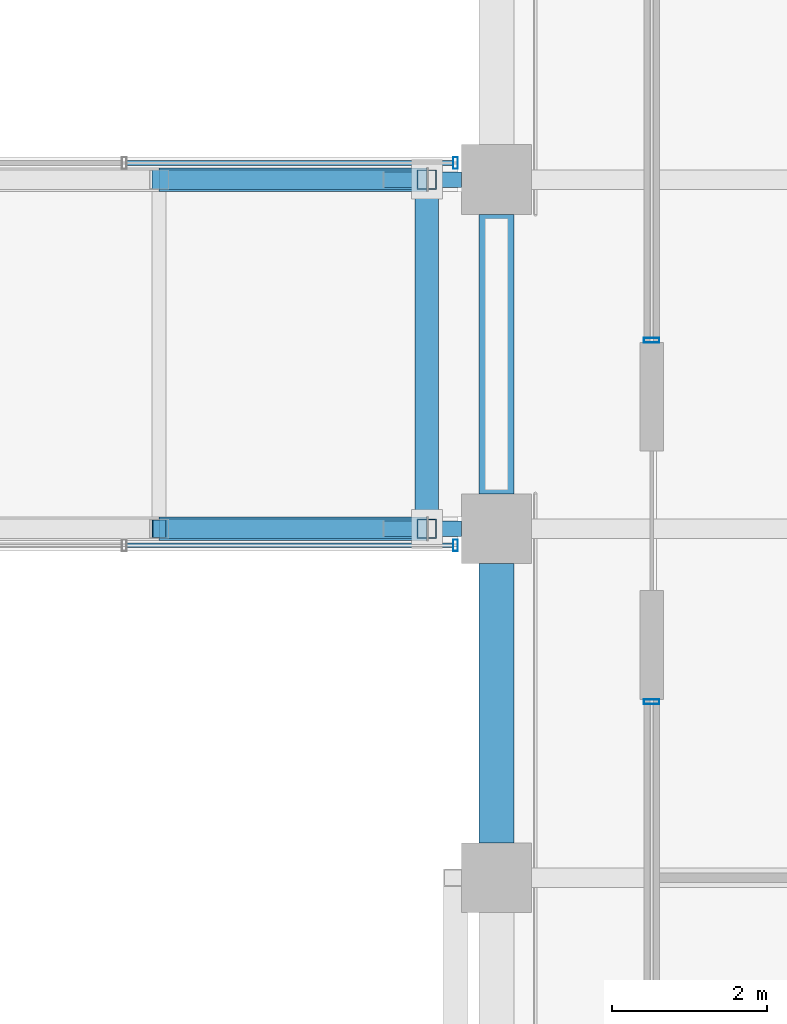
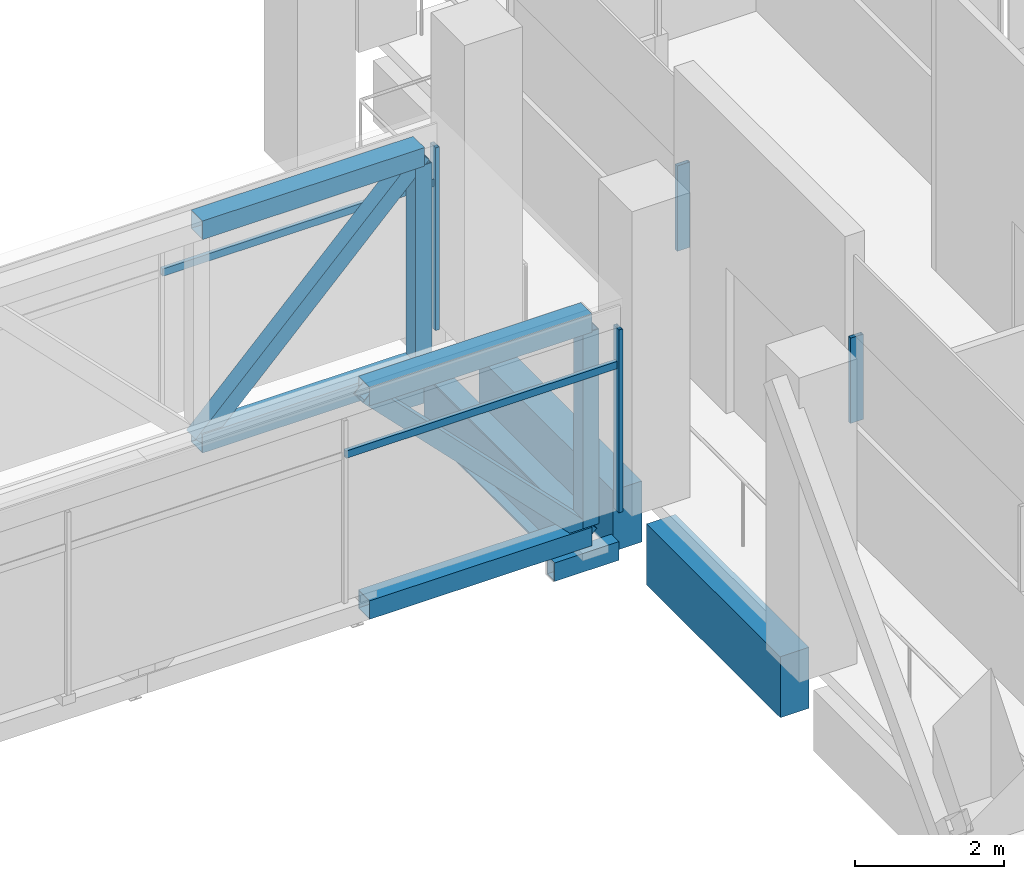
# One storey, part 24 of 34: 14 members, 5 beams, 4 elements without a shape of their own.
"""IFC4 building model written with IfcOpenShell, lengths in metres."""

from ifc_helpers import new_model, si_unit, direction, frame, origin, origin_2d, place, context, subcontext, project, spatial, rectangle, hollow_rectangle, i_section, extrude, material, material_profile, profile_set, type_object, element, aggregate, save


model = new_model("IFC4")

# Units and contexts
model_context = context("Model", 3, precision=1e-05, world=origin(), true_north=direction((0.0, 1.0)))
body_context = subcontext(model_context, "Body", "Model", "MODEL_VIEW")
ifc_project = project(units=[si_unit("LENGTHUNIT", "METRE"), si_unit("AREAUNIT", "SQUARE_METRE"), si_unit("VOLUMEUNIT", "CUBIC_METRE"), si_unit("PLANEANGLEUNIT", "RADIAN"), si_unit("MASSUNIT", "GRAM", prefix="KILO")], contexts=[model_context])

# Site, building, storey
site_placement = place(None, origin())
site = spatial("IfcSite", under=ifc_project, at=site_placement, CompositionType="ELEMENT")
building_placement = place(site_placement, origin())
building = spatial("IfcBuilding", under=site, at=building_placement, Name="Altepetl Exchange Towers", CompositionType="ELEMENT")
storey_placement = place(building_placement, frame((0.0, 0.0, 190.60009765625)))
storey = spatial("IfcBuildingStorey", under=building, at=storey_placement, Name="L48 Refuge", CompositionType="ELEMENT", Elevation=190.60009765625)

# Members
ifc_material_1 = material(Name="Steel S355", Category="steel")
ifc_material_profile_1 = material_profile(ifc_material_1, hollow_rectangle(XDim=0.304931640625, YDim=0.304931640625, WallThickness=0.01171875, at=origin_2d()), Name="HSS305X305X12.7")
ifc_profile_set_1 = profile_set([ifc_material_profile_1], Name="Steel S355")
member_type_1 = type_object("IfcMemberType", Name="Bridge chord HSS305X305X12.7", PredefinedType="CHORD", material=ifc_profile_set_1)
for number, where, z_axis, x_axis, name in (
    (1, (90.14990234375, 45.0, -0.3525390625), (1.0, 0.0, 0.0), (0.0, 1.0, 0.0), "tr:X:L48:bc-s5"),
    (2, (90.14990234375, 45.0, 3.15234375), (1.0, 0.0, 0.0), (0.0, 1.0, 0.0), "tr:X:L48:tc-s5"),
    (3, (90.14990234375, 49.5, -0.3525390625), (1.0, 0.0, 0.0), (0.0, 1.0, 0.0), "tr:X:L48:bc-n5"),
    (4, (90.14990234375, 49.5, 3.15234375), (1.0, 0.0, 0.0), (0.0, 1.0, 0.0), "tr:X:L48:tc-n5"),
):
    element("IfcMember", number, at=place(storey_placement, frame(where, z_axis=z_axis, x_axis=x_axis)), inside=storey, type_object=member_type_1, Name=name, PredefinedType="CHORD", context=body_context, shape_type="SweptSolid", body=[
        extrude(hollow_rectangle(XDim=0.304931640625, YDim=0.304931640625, WallThickness=0.01171875, at=origin_2d()), origin(), (0.0, 0.0, 1.0), 3.4501953125),
    ])

# Beams
ifc_material_profile_2 = material_profile(ifc_material_1, hollow_rectangle(XDim=0.202880859375, YDim=0.304931640625, WallThickness=0.01171875, at=origin_2d()), Name="HSS305X203X12.7")
ifc_profile_set_2 = profile_set([ifc_material_profile_2], Name="Steel S355")
beam_type_1 = type_object("IfcBeamType", Name="Bridge deck beam HSS305X203X12.7", PredefinedType="BEAM", material=ifc_profile_set_2)
for number, where, z_axis, x_axis, name in (
    (5, (94.050048828125, 45.0, -0.777587890625), (-1.0, 0.0, 0.0), (0.0, -1.0, 0.0), "bm:X:L48:corbel-bs"),
    (6, (94.050048828125, 49.5, -0.777587890625), (-1.0, 0.0, 0.0), (0.0, -1.0, 0.0), "bm:X:L48:corbel-bn"),
):
    element("IfcBeam", number, at=place(storey_placement, frame(where, z_axis=z_axis, x_axis=x_axis)), inside=storey, type_object=beam_type_1, Name=name, PredefinedType="BEAM", context=body_context, shape_type="SweptSolid", body=[
        extrude(hollow_rectangle(XDim=0.202880859375, YDim=0.304931640625, WallThickness=0.01171875, at=origin_2d()), origin(), (0.0, 0.0, 1.0), 1.0),
    ])
ifc_material_profile_3 = material_profile(ifc_material_1, i_section(OverallWidth=0.306884765625, OverallDepth=0.923095703125, WebThickness=0.018310546875, FlangeThickness=0.030029296875, at=origin_2d()), Name="W36X182")
ifc_profile_set_3 = profile_set([ifc_material_profile_3], Name="Steel S355")
beam_type_2 = type_object("IfcBeamType", Name="Bridge deck beam W36X182", PredefinedType="BEAM", material=ifc_profile_set_3)
beam_placement = place(storey_placement, frame((93.60009765625, 45.152587890625, -0.66162109375), z_axis=(0.0, 1.0, 0.0), x_axis=(-1.0, 0.0, 0.0)))
element("IfcBeam", 7, at=beam_placement, inside=storey, type_object=beam_type_2, Name="bm:X:L48:eg-b", PredefinedType="BEAM", context=body_context, shape_type="SweptSolid", body=[
    extrude(i_section(OverallWidth=0.306884765625, OverallDepth=0.923095703125, WebThickness=0.018310546875, FlangeThickness=0.030029296875, at=origin_2d()), origin(), (0.0, 0.0, 1.0), 4.19482421875),
])

# Members
ifc_material_profile_4 = material_profile(ifc_material_1, hollow_rectangle(XDim=0.25390625, YDim=0.25390625, WallThickness=0.01171875, at=origin_2d()), Name="HSS254X254X12.7")
ifc_profile_set_4 = profile_set([ifc_material_profile_4], Name="Steel S355")
member_type_2 = type_object("IfcMemberType", Name="Bridge diagonal HSS254X254X12.7", PredefinedType="BRACE", material=ifc_profile_set_4)
for number, where, z_axis, x_axis, name in (
    (8, (90.14990234375, 45.0, 3.15234375), (0.701525143002, 0.0, -0.712644703717), (0.0, 1.0, 0.0), "tr:X:L48:dg-s5"),
    (9, (90.14990234375, 49.5, -0.3525390625), (0.701525143002, 0.0, 0.712644703717), (0.0, 1.0, 0.0), "tr:X:L48:dg-n5"),
):
    element("IfcMember", number, at=place(storey_placement, frame(where, z_axis=z_axis, x_axis=x_axis)), inside=storey, type_object=member_type_2, Name=name, PredefinedType="BRACE", context=body_context, shape_type="SweptSolid", body=[
        extrude(hollow_rectangle(XDim=0.25390625, YDim=0.25390625, WallThickness=0.01171875, at=origin_2d()), origin(), (0.0, 0.0, 1.0), 4.918212890625),
    ])
ifc_material_profile_5 = material_profile(ifc_material_1, hollow_rectangle(XDim=0.25390625, YDim=0.25390625, WallThickness=0.01171875, at=origin_2d()), Name="HSS254X254X12.7")
ifc_profile_set_5 = profile_set([ifc_material_profile_5], Name="Steel S355")
member_type_3 = type_object("IfcMemberType", Name="Bridge post HSS254X254X12.7", PredefinedType="POST", material=ifc_profile_set_5)
for number, where, name in (
    (10, (93.60009765625, 45.0, -0.2001953125), "tr:X:L48:ps-s6"),
    (11, (93.60009765625, 49.5, -0.2001953125), "tr:X:L48:ps-n6"),
):
    element("IfcMember", number, at=place(storey_placement, frame(where)), inside=storey, type_object=member_type_3, Name=name, PredefinedType="POST", context=body_context, shape_type="SweptSolid", body=[
        extrude(hollow_rectangle(XDim=0.25390625, YDim=0.25390625, WallThickness=0.01171875, at=origin_2d()), origin(), (0.0, 0.0, 1.0), 3.2001953125),
    ])

# Curtain wall, member
ifc_material_2 = material(Name="Aluminium 6063-T6 glazing", Category="aluminium")
curtain_wall_type_1 = type_object("IfcCurtainWallType", Name="Bridge enclosure system", PredefinedType="NOTDEFINED", material=ifc_material_2)
curtain_wall_1_placement = place(storey_placement, origin())
curtain_wall_1 = element("IfcCurtainWall", 12, at=curtain_wall_1_placement, inside=storey, type_object=curtain_wall_type_1, Name="CW6 run", PredefinedType="NOTDEFINED")
ifc_material_3 = material(Name="Aluminium 6063-T6", Category="aluminium")
ifc_material_profile_6 = material_profile(ifc_material_3, hollow_rectangle(XDim=0.06005859375, YDim=0.14990234375, WallThickness=0.0029296875, at=origin_2d()), Name="Mullion 60x150 aluminium")
ifc_profile_set_6 = profile_set([ifc_material_profile_6], Name="Aluminium 6063-T6")
member_type_4 = type_object("IfcMemberType", Name="Mullion 60x150 aluminium", PredefinedType="MULLION", material=ifc_profile_set_6)
member_1_placement = place(storey_placement, frame((93.969970703125, 44.784912109375, 0.0)))
member_1 = element("IfcMember", 13, at=member_1_placement, type_object=member_type_4, Name="MU1 mullion", PredefinedType="MULLION", context=body_context, shape_type="SweptSolid", body=[
    extrude(hollow_rectangle(XDim=0.06005859375, YDim=0.14990234375, WallThickness=0.0029296875, at=origin_2d()), origin(), (0.0, 0.0, 1.0), 3.0),
])

curtain_wall_2_placement = place(storey_placement, origin())
curtain_wall_2 = element("IfcCurtainWall", 14, at=curtain_wall_2_placement, inside=storey, type_object=curtain_wall_type_1, Name="CW6 run", PredefinedType="NOTDEFINED")
member_2_placement = place(storey_placement, frame((93.969970703125, 49.715087890625, 0.0)))
member_2 = element("IfcMember", 15, at=member_2_placement, type_object=member_type_4, Name="MU1 mullion", PredefinedType="MULLION", context=body_context, shape_type="SweptSolid", body=[
    extrude(hollow_rectangle(XDim=0.06005859375, YDim=0.14990234375, WallThickness=0.0029296875, at=origin_2d()), origin(), (0.0, 0.0, 1.0), 3.0),
])

curtain_wall_type_2 = type_object("IfcCurtainWallType", Name="Refuge slit glazing system", PredefinedType="NOTDEFINED", material=ifc_material_2)
curtain_wall_3_placement = place(storey_placement, origin())
curtain_wall_3 = element("IfcCurtainWall", 16, at=curtain_wall_3_placement, inside=storey, type_object=curtain_wall_type_2, Name="CW3 run", PredefinedType="NOTDEFINED")
ifc_material_profile_7 = material_profile(ifc_material_3, hollow_rectangle(XDim=0.06005859375, YDim=0.199951171875, WallThickness=0.0029296875, at=origin_2d()), Name="Mullion 60x200 aluminium")
ifc_profile_set_7 = profile_set([ifc_material_profile_7], Name="Aluminium 6063-T6")
member_type_5 = type_object("IfcMemberType", Name="Mullion 60x200 aluminium", PredefinedType="MULLION", material=ifc_profile_set_7)
member_3_placement = place(storey_placement, frame((96.5, 47.429931640625, 1.7998046875), z_axis=(0.0, 0.0, 1.0), x_axis=(0.0, -1.0, 0.0)))
member_3 = element("IfcMember", 17, at=member_3_placement, type_object=member_type_5, Name="MU2 mullion", PredefinedType="MULLION", context=body_context, shape_type="SweptSolid", body=[
    extrude(hollow_rectangle(XDim=0.06005859375, YDim=0.199951171875, WallThickness=0.0029296875, at=origin_2d()), origin(), (0.0, 0.0, 1.0), 1.400146484375),
])
aggregate(curtain_wall_3, [member_3])

curtain_wall_4_placement = place(storey_placement, origin())
curtain_wall_4 = element("IfcCurtainWall", 18, at=curtain_wall_4_placement, inside=storey, type_object=curtain_wall_type_2, Name="CW3 run", PredefinedType="NOTDEFINED")
member_4_placement = place(storey_placement, frame((96.5, 42.77001953125, 1.7998046875), z_axis=(0.0, 0.0, 1.0), x_axis=(0.0, -1.0, 0.0)))
member_4 = element("IfcMember", 19, at=member_4_placement, type_object=member_type_5, Name="MU2 mullion", PredefinedType="MULLION", context=body_context, shape_type="SweptSolid", body=[
    extrude(hollow_rectangle(XDim=0.06005859375, YDim=0.199951171875, WallThickness=0.0029296875, at=origin_2d()), origin(), (0.0, 0.0, 1.0), 1.400146484375),
])
aggregate(curtain_wall_4, [member_4])

# Beams
ifc_material_4 = material(Name="Concrete C50/60 precast with cantera rosa facing", Category="concrete")
ifc_material_profile_8 = material_profile(ifc_material_4, rectangle(XDim=0.449951171875, YDim=1.0, at=origin_2d()), Name="450 x 1000")
ifc_profile_set_8 = profile_set([ifc_material_profile_8], Name="Concrete C50/60 precast with cantera rosa facing")
beam_type_3 = type_object("IfcBeamType", Name="Spandrel beam 450x1000 cantera rosa", PredefinedType="SPANDREL", material=ifc_profile_set_8)
for number, where, z_axis, x_axis, name in (
    (20, (94.5, 49.050048828125, -0.7001953125), (0.0, -1.0, 0.0), (1.0, 0.0, 0.0), "sp:B:L48:016"),
    (21, (94.5, 44.550048828125, -0.7001953125), (0.0, -1.0, 0.0), (1.0, 0.0, 0.0), "sp:B:L48:017"),
):
    element("IfcBeam", number, at=place(storey_placement, frame(where, z_axis=z_axis, x_axis=x_axis)), inside=storey, type_object=beam_type_3, Name=name, PredefinedType="SPANDREL", context=body_context, shape_type="SweptSolid", body=[
        extrude(rectangle(XDim=0.449951171875, YDim=1.0, at=origin_2d()), origin(), (0.0, 0.0, 1.0), 3.60009765625),
    ])

# Member
ifc_material_profile_9 = material_profile(ifc_material_3, hollow_rectangle(XDim=0.06005859375, YDim=0.1201171875, WallThickness=0.0029296875, at=origin_2d()), Name="Transom 60x120 aluminium")
ifc_profile_set_9 = profile_set([ifc_material_profile_9], Name="Aluminium 6063-T6")
member_type_6 = type_object("IfcMemberType", Name="Transom 60x120 aluminium", PredefinedType="USERDEFINED", material=ifc_profile_set_9)
member_5_placement = place(storey_placement, frame((89.72998046875, 44.784912109375, 2.39990234375), z_axis=(1.0, 0.0, 0.0), x_axis=(0.0, 1.0, 0.0)))
member_5 = element("IfcMember", 22, at=member_5_placement, type_object=member_type_6, Name="TR1 transom", ObjectType="TRANSOM", PredefinedType="USERDEFINED", context=body_context, shape_type="SweptSolid", body=[
    extrude(hollow_rectangle(XDim=0.06005859375, YDim=0.1201171875, WallThickness=0.0029296875, at=origin_2d()), origin(), (0.0, 0.0, 1.0), 4.2099609375),
])

aggregate(curtain_wall_1, [member_1, member_5])

member_6_placement = place(storey_placement, frame((89.72998046875, 49.715087890625, 2.39990234375), z_axis=(1.0, 0.0, 0.0), x_axis=(0.0, 1.0, 0.0)))
member_6 = element("IfcMember", 23, at=member_6_placement, type_object=member_type_6, Name="TR1 transom", ObjectType="TRANSOM", PredefinedType="USERDEFINED", context=body_context, shape_type="SweptSolid", body=[
    extrude(hollow_rectangle(XDim=0.06005859375, YDim=0.1201171875, WallThickness=0.0029296875, at=origin_2d()), origin(), (0.0, 0.0, 1.0), 4.2099609375),
])

aggregate(curtain_wall_2, [member_2, member_6])

save(model, "model.ifc")
